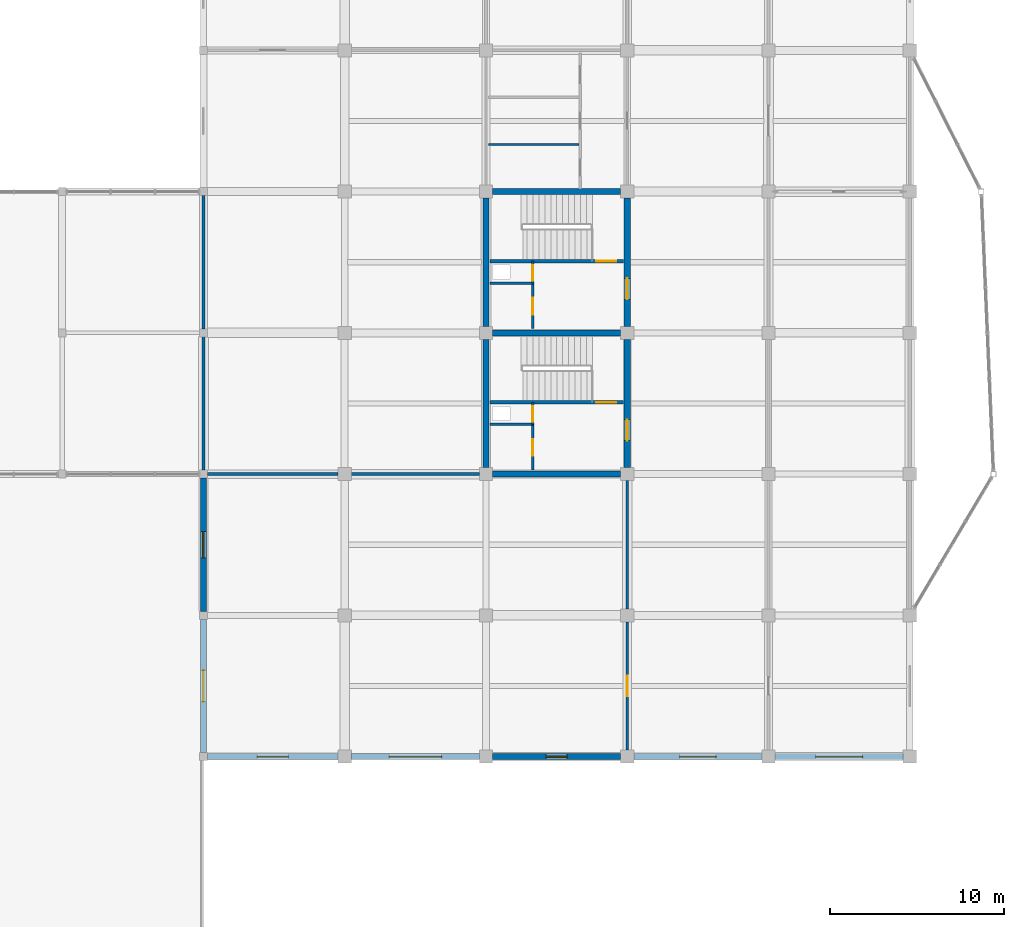
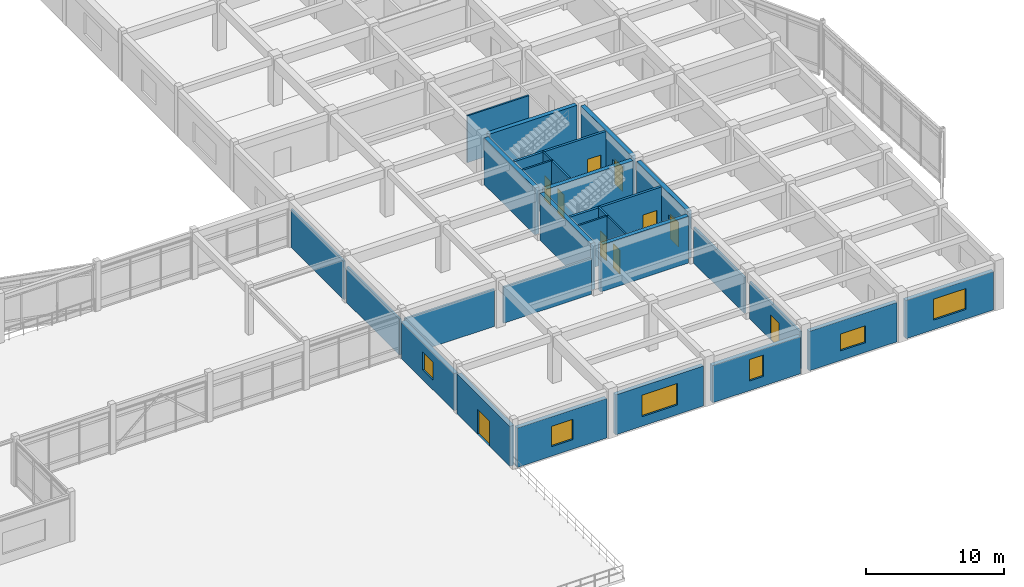
# One storey, part 69 of 89: 29 walls, 10 doors, 6 windows, 16 openings.
"""IFC4 building model written with IfcOpenShell, lengths in metres."""

from ifc_helpers import new_model, si_unit, direction, frame, frame_2d, origin, place, context, subcontext, project, spatial, rectangle, extrude, material, layer, layer_set, type_object, element, fill, save


model = new_model("IFC4")

# Units and contexts
model_context = context("Model", 3, precision=1e-05, world=origin(), true_north=direction((0.0, 1.0)))
body_context = subcontext(model_context, "Body", "Model", "MODEL_VIEW")
ifc_project = project(units=[si_unit("LENGTHUNIT", "METRE"), si_unit("AREAUNIT", "SQUARE_METRE"), si_unit("VOLUMEUNIT", "CUBIC_METRE"), si_unit("PLANEANGLEUNIT", "RADIAN"), si_unit("MASSUNIT", "GRAM", prefix="KILO")], contexts=[model_context])

# Site, building, storey
site_placement = place(None, origin())
site = spatial("IfcSite", under=ifc_project, at=site_placement, CompositionType="ELEMENT")
building_placement = place(site_placement, origin())
building = spatial("IfcBuilding", under=site, at=building_placement, Name="Vaudrelin Polytechnic", CompositionType="ELEMENT")
storey_placement = place(building_placement, frame((0.0, 0.0, 9.68994140625)))
storey = spatial("IfcBuildingStorey", under=building, at=storey_placement, Name="L02", CompositionType="ELEMENT", Elevation=9.68994140625)

# Wall, opening, window
ifc_material_1 = material(Name="Precast concrete 35 MPa with terracotta baguette screen", Category="masonry")
ifc_layer_1 = layer(ifc_material_1, 0.35009765625)
ifc_layer_set_1 = layer_set([ifc_layer_1], Name="Precast concrete 35 MPa with terracotta baguette screen")
wall_type_1 = type_object("IfcWallType", Name="WAL-EW-TERR350", PredefinedType="STANDARD", material=ifc_layer_set_1)
wall_1_placement = place(storey_placement, frame((129.822998046875, 16.199951171875, 0.0), z_axis=(0.0, 0.0, 1.0), x_axis=(1.0, 0.0, 0.0)))
wall_1 = element("IfcWall", 1, at=wall_1_placement, inside=storey, type_object=wall_type_1, Name="Exterior wall L02 S_V4_00", PredefinedType="STANDARD", context=body_context, shape_type="SweptSolid", body=[
    extrude(rectangle(XDim=7.50390625, YDim=0.35009765625, at=frame_2d((3.751953125, 0.0))), origin(), (0.0, 0.0, 1.0), 3.491943359375),
])
opening_1_placement = place(wall_1_placement, frame((2.85205078125, 0.0, 0.85009765625)))
opening_1 = element("IfcOpeningElement", 2, at=opening_1_placement, cuts=wall_1, Name="Opening W-L02-S-V4-01", PredefinedType="OPENING", context=body_context, shape_type="SweptSolid", body=[
    extrude(rectangle(XDim=1.800048828125, YDim=1.800048828125, at=frame_2d((0.89990234375, 0.89990234375))), frame((0.0, 0.18505859375, 0.0), z_axis=(0.0, -1.0, 0.0), x_axis=(1.0, 0.0, 0.0)), (0.0, 0.0, 1.0), 0.3701171875),
])
ifc_material_2 = material(Name="Thermally broken aluminium frame with triple low-e glazing", Category="aluminium")
window_type_1 = type_object("IfcWindowType", Name="WIN-WN-02", PartitioningType="SINGLE_PANEL", PredefinedType="WINDOW", material=ifc_material_2)
window_1_placement = place(opening_1_placement, origin())
window_1 = element("IfcWindow", 3, at=window_1_placement, inside=storey, type_object=window_type_1, Name="Facade window L02-S_V4_00", OverallHeight=1.800048828125, OverallWidth=1.800048828125, PartitioningType="SINGLE_PANEL", PredefinedType="WINDOW", context=body_context, shape_type="SweptSolid", body=[
    extrude(rectangle(XDim=1.800048828125, YDim=1.800048828125, at=frame_2d((0.89990234375, 0.89990234375))), frame((0.0, 0.030029296875, 0.0), z_axis=(0.0, -1.0, 0.0), x_axis=(1.0, 0.0, 0.0)), (0.0, 0.0, 1.0), 0.06005859375),
])
fill(opening_1, window_1)

wall_2_placement = place(storey_placement, frame((138.072998046875, 16.199951171875, 0.0), z_axis=(0.0, 0.0, 1.0), x_axis=(1.0, 0.0, 0.0)))
wall_2 = element("IfcWall", 4, at=wall_2_placement, inside=storey, type_object=wall_type_1, Name="Exterior wall L02 S_V4_01", PredefinedType="STANDARD", context=body_context, shape_type="SweptSolid", body=[
    extrude(rectangle(XDim=7.35400390625, YDim=0.35009765625, at=frame_2d((3.677001953125, 0.0))), origin(), (0.0, 0.0, 1.0), 3.5419921875),
])
opening_2_placement = place(wall_2_placement, frame((2.177001953125, 0.0, 0.85009765625)))
opening_2 = element("IfcOpeningElement", 5, at=opening_2_placement, cuts=wall_2, Name="Opening W-L02-S-V4-02", PredefinedType="OPENING", context=body_context, shape_type="SweptSolid", body=[
    extrude(rectangle(XDim=3.0, YDim=1.89990234375, at=frame_2d((1.5, 0.949951171875))), frame((0.0, 0.18505859375, 0.0), z_axis=(0.0, -1.0, 0.0), x_axis=(1.0, 0.0, 0.0)), (0.0, 0.0, 1.0), 0.3701171875),
])
window_type_2 = type_object("IfcWindowType", Name="WIN-WN-03", PartitioningType="SINGLE_PANEL", PredefinedType="WINDOW", material=ifc_material_2)
window_2_placement = place(opening_2_placement, origin())
window_2 = element("IfcWindow", 6, at=window_2_placement, inside=storey, type_object=window_type_2, Name="Facade window L02-S_V4_01", OverallHeight=1.89990234375, OverallWidth=3.0, PartitioningType="SINGLE_PANEL", PredefinedType="WINDOW", context=body_context, shape_type="SweptSolid", body=[
    extrude(rectangle(XDim=3.0, YDim=1.89990234375, at=frame_2d((1.5, 0.949951171875))), frame((0.0, 0.030029296875, 0.0), z_axis=(0.0, -1.0, 0.0), x_axis=(1.0, 0.0, 0.0)), (0.0, 0.0, 1.0), 0.06005859375),
])
fill(opening_2, window_2)

wall_3_placement = place(storey_placement, frame((146.173095703125, 16.199951171875, 0.0), z_axis=(0.0, 0.0, 1.0), x_axis=(1.0, 0.0, 0.0)))
wall_3 = element("IfcWall", 7, at=wall_3_placement, inside=storey, type_object=wall_type_1, Name="Exterior wall L02 S_V4_02", PredefinedType="STANDARD", context=body_context, shape_type="SweptSolid", body=[
    extrude(rectangle(XDim=7.35400390625, YDim=0.35009765625, at=frame_2d((3.677001953125, 0.0))), origin(), (0.0, 0.0, 1.0), 3.2919921875),
])
opening_3_placement = place(wall_3_placement, frame((3.076904296875, 0.0, 0.85009765625)))
opening_3 = element("IfcOpeningElement", 8, at=opening_3_placement, cuts=wall_3, Name="Opening W-L02-S-V4-03", PredefinedType="OPENING", context=body_context, shape_type="SweptSolid", body=[
    extrude(rectangle(XDim=1.199951171875, YDim=1.89990234375, at=frame_2d((0.60009765625, 0.949951171875))), frame((0.0, 0.18505859375, 0.0), z_axis=(0.0, -1.0, 0.0), x_axis=(1.0, 0.0, 0.0)), (0.0, 0.0, 1.0), 0.3701171875),
])
window_type_3 = type_object("IfcWindowType", Name="WIN-WN-04", PartitioningType="SINGLE_PANEL", PredefinedType="WINDOW", material=ifc_material_2)
window_3_placement = place(opening_3_placement, origin())
window_3 = element("IfcWindow", 9, at=window_3_placement, inside=storey, type_object=window_type_3, Name="Facade window L02-S_V4_02", OverallHeight=1.89990234375, OverallWidth=1.199951171875, PartitioningType="SINGLE_PANEL", PredefinedType="WINDOW", context=body_context, shape_type="SweptSolid", body=[
    extrude(rectangle(XDim=1.199951171875, YDim=1.89990234375, at=frame_2d((0.60009765625, 0.949951171875))), frame((0.0, 0.030029296875, 0.0), z_axis=(0.0, -1.0, 0.0), x_axis=(1.0, 0.0, 0.0)), (0.0, 0.0, 1.0), 0.06005859375),
])
fill(opening_3, window_3)

wall_4_placement = place(storey_placement, frame((154.27294921875, 16.199951171875, 0.0), z_axis=(0.0, 0.0, 1.0), x_axis=(1.0, 0.0, 0.0)))
wall_4 = element("IfcWall", 10, at=wall_4_placement, inside=storey, type_object=wall_type_1, Name="Exterior wall L02 S_V4_03", PredefinedType="STANDARD", context=body_context, shape_type="SweptSolid", body=[
    extrude(rectangle(XDim=7.35400390625, YDim=0.35009765625, at=frame_2d((3.677001953125, 0.0))), origin(), (0.0, 0.0, 1.0), 3.491943359375),
])
opening_4_placement = place(wall_4_placement, frame((2.626953125, 0.0, 0.85009765625)))
opening_4 = element("IfcOpeningElement", 11, at=opening_4_placement, cuts=wall_4, Name="Opening W-L02-S-V4-04", PredefinedType="OPENING", context=body_context, shape_type="SweptSolid", body=[
    extrude(rectangle(XDim=2.10009765625, YDim=1.5, at=frame_2d((1.050048828125, 0.75))), frame((0.0, 0.18505859375, 0.0), z_axis=(0.0, -1.0, 0.0), x_axis=(1.0, 0.0, 0.0)), (0.0, 0.0, 1.0), 0.3701171875),
])
window_type_4 = type_object("IfcWindowType", Name="WIN-WN-05", PartitioningType="SINGLE_PANEL", PredefinedType="WINDOW", material=ifc_material_2)
window_4_placement = place(opening_4_placement, origin())
window_4 = element("IfcWindow", 12, at=window_4_placement, inside=storey, type_object=window_type_4, Name="Facade window L02-S_V4_03", OverallHeight=1.5, OverallWidth=2.10009765625, PartitioningType="SINGLE_PANEL", PredefinedType="WINDOW", context=body_context, shape_type="SweptSolid", body=[
    extrude(rectangle(XDim=2.10009765625, YDim=1.5, at=frame_2d((1.050048828125, 0.75))), frame((0.0, 0.030029296875, 0.0), z_axis=(0.0, -1.0, 0.0), x_axis=(1.0, 0.0, 0.0)), (0.0, 0.0, 1.0), 0.06005859375),
])
fill(opening_4, window_4)

wall_5_placement = place(storey_placement, frame((162.373046875, 16.199951171875, 0.0), z_axis=(0.0, 0.0, 1.0), x_axis=(1.0, 0.0, 0.0)))
wall_5 = element("IfcWall", 13, at=wall_5_placement, inside=storey, type_object=wall_type_1, Name="Exterior wall L02 S_V4_04", PredefinedType="STANDARD", context=body_context, shape_type="SweptSolid", body=[
    extrude(rectangle(XDim=7.35400390625, YDim=0.35009765625, at=frame_2d((3.677001953125, 0.0))), origin(), (0.0, 0.0, 1.0), 3.39208984375),
])
opening_5_placement = place(wall_5_placement, frame((2.326904296875, 0.0, 0.85009765625)))
opening_5 = element("IfcOpeningElement", 14, at=opening_5_placement, cuts=wall_5, Name="Opening W-L02-S-V4-05", PredefinedType="OPENING", context=body_context, shape_type="SweptSolid", body=[
    extrude(rectangle(XDim=2.699951171875, YDim=1.85009765625, at=frame_2d((1.35009765625, 0.925048828125))), frame((0.0, 0.18505859375, 0.0), z_axis=(0.0, -1.0, 0.0), x_axis=(1.0, 0.0, 0.0)), (0.0, 0.0, 1.0), 0.3701171875),
])
window_type_5 = type_object("IfcWindowType", Name="WIN-WN-06", PartitioningType="SINGLE_PANEL", PredefinedType="WINDOW", material=ifc_material_2)
window_5_placement = place(opening_5_placement, origin())
window_5 = element("IfcWindow", 15, at=window_5_placement, inside=storey, type_object=window_type_5, Name="Facade window L02-S_V4_04", OverallHeight=1.85009765625, OverallWidth=2.699951171875, PartitioningType="SINGLE_PANEL", PredefinedType="WINDOW", context=body_context, shape_type="SweptSolid", body=[
    extrude(rectangle(XDim=2.699951171875, YDim=1.85009765625, at=frame_2d((1.35009765625, 0.925048828125))), frame((0.0, 0.030029296875, 0.0), z_axis=(0.0, -1.0, 0.0), x_axis=(1.0, 0.0, 0.0)), (0.0, 0.0, 1.0), 0.06005859375),
])
fill(opening_5, window_5)

# Wall, opening, door
wall_6_placement = place(storey_placement, frame((129.60009765625, 16.423095703125, 0.0), z_axis=(0.0, 0.0, 1.0), x_axis=(0.0, 1.0, 0.0)))
wall_6 = element("IfcWall", 16, at=wall_6_placement, inside=storey, type_object=wall_type_1, Name="Exterior wall L02 W_V4G_00", PredefinedType="STANDARD", context=body_context, shape_type="SweptSolid", body=[
    extrude(rectangle(XDim=7.65380859375, YDim=0.35009765625, at=frame_2d((3.826904296875, 0.0))), origin(), (0.0, 0.0, 1.0), 3.5419921875),
])
opening_6_placement = place(wall_6_placement, frame((2.927001953125, 0.0, 0.0)))
opening_6 = element("IfcOpeningElement", 17, at=opening_6_placement, cuts=wall_6, Name="Opening TD-02-02", PredefinedType="OPENING", context=body_context, shape_type="SweptSolid", body=[
    extrude(rectangle(XDim=1.800048828125, YDim=2.199951171875, at=frame_2d((0.89990234375, 1.10009765625))), frame((0.0, 0.18505859375, 0.0), z_axis=(0.0, -1.0, 0.0), x_axis=(1.0, 0.0, 0.0)), (0.0, 0.0, 1.0), 0.3701171875),
])
ifc_material_3 = material(Name="Thermally broken anodised aluminium AA 6063-T6", Category="aluminium")
door_type_1 = type_object("IfcDoorType", Name="DOR-ED-03", OperationType="DOUBLE_SWING_LEFT", PredefinedType="DOOR", material=ifc_material_3)
door_1_placement = place(opening_6_placement, origin())
door_1 = element("IfcDoor", 18, at=door_1_placement, inside=storey, type_object=door_type_1, Name="Exterior exit door TD-02-02", OperationType="DOUBLE_SWING_RIGHT", OverallHeight=2.199951171875, OverallWidth=1.800048828125, PredefinedType="DOOR", context=body_context, shape_type="SweptSolid", body=[
    extrude(rectangle(XDim=1.800048828125, YDim=2.199951171875, at=frame_2d((0.89990234375, 1.10009765625))), frame((0.0, 0.02490234375, 0.0), z_axis=(0.0, -1.0, 0.0), x_axis=(1.0, 0.0, 0.0)), (0.0, 0.0, 1.0), 0.050048828125),
])
fill(opening_6, door_1)

# Wall, opening, window
wall_7_placement = place(storey_placement, frame((129.60009765625, 24.52294921875, 0.0), z_axis=(0.0, 0.0, 1.0), x_axis=(0.0, 1.0, 0.0)))
wall_7 = element("IfcWall", 19, at=wall_7_placement, inside=storey, type_object=wall_type_1, Name="Exterior wall L02 W_V4G_01", PredefinedType="STANDARD", context=body_context, shape_type="SweptSolid", body=[
    extrude(rectangle(XDim=7.654052734375, YDim=0.35009765625, at=frame_2d((3.8271484375, 0.0))), origin(), (0.0, 0.0, 1.0), 3.2919921875),
])
opening_7_placement = place(wall_7_placement, frame((3.076904296875, 0.0, 0.85009765625)))
opening_7 = element("IfcOpeningElement", 20, at=opening_7_placement, cuts=wall_7, Name="Opening W-L02-W-V4G-02", PredefinedType="OPENING", context=body_context, shape_type="SweptSolid", body=[
    extrude(rectangle(XDim=1.5, YDim=1.60009765625, at=frame_2d((0.75, 0.800048828125))), frame((0.0, 0.18505859375, 0.0), z_axis=(0.0, -1.0, 0.0), x_axis=(1.0, 0.0, 0.0)), (0.0, 0.0, 1.0), 0.3701171875),
])
window_type_6 = type_object("IfcWindowType", Name="WIN-WN-07", PartitioningType="SINGLE_PANEL", PredefinedType="WINDOW", material=ifc_material_2)
window_6_placement = place(opening_7_placement, origin())
window_6 = element("IfcWindow", 21, at=window_6_placement, inside=storey, type_object=window_type_6, Name="Facade window L02-W_V4G_01", OverallHeight=1.60009765625, OverallWidth=1.5, PartitioningType="SINGLE_PANEL", PredefinedType="WINDOW", context=body_context, shape_type="SweptSolid", body=[
    extrude(rectangle(XDim=1.5, YDim=1.60009765625, at=frame_2d((0.75, 0.800048828125))), frame((0.0, 0.030029296875, 0.0), z_axis=(0.0, -1.0, 0.0), x_axis=(1.0, 0.0, 0.0)), (0.0, 0.0, 1.0), 0.06005859375),
])
fill(opening_7, window_6)

# Wall, opening, door
ifc_material_4 = material(Name="Fire-rated steel-stud gypsum compartment wall", Category="steel")
ifc_layer_2 = layer(ifc_material_4, 0.14990234375)
ifc_layer_set_2 = layer_set([ifc_layer_2], Name="Fire-rated steel-stud gypsum compartment wall")
wall_type_2 = type_object("IfcWallType", Name="WAL-PW-FIRE60", PredefinedType="PARTITIONING", material=ifc_layer_set_2)
wall_8_placement = place(storey_placement, frame((148.47998046875, 35.25, 0.0), z_axis=(0.0, 0.0, 1.0), x_axis=(0.0, 1.0, 0.0)))
wall_8 = element("IfcWall", 22, at=wall_8_placement, inside=storey, type_object=wall_type_2, Name="Core C8 riser enclosure wall L02", PredefinedType="PARTITIONING", context=body_context, shape_type="SweptSolid", body=[
    extrude(rectangle(XDim=1.260009765625, YDim=0.14990234375, at=frame_2d((0.6298828125, 0.0))), origin(), (0.0, 0.0, 1.0), 4.14208984375),
])
opening_8_placement = place(wall_8_placement, frame((0.139892578125, 0.0, 0.0)))
opening_8 = element("IfcOpeningElement", 23, at=opening_8_placement, cuts=wall_8, Name="Opening D-L02-152", PredefinedType="OPENING", context=body_context, shape_type="SweptSolid", body=[
    extrude(rectangle(XDim=0.89990234375, YDim=2.14990234375, at=frame_2d((0.449951171875, 1.074951171875))), frame((0.0, 0.0849609375, 0.0), z_axis=(0.0, -1.0, 0.0), x_axis=(1.0, 0.0, 0.0)), (0.0, 0.0, 1.0), 0.169921875),
])
ifc_material_5 = material(Name="Pressed galvanised steel acoustic leaf", Category="steel")
door_type_2 = type_object("IfcDoorType", Name="DOR-ID-RSR1", OperationType="NOTDEFINED", PredefinedType="DOOR", material=ifc_material_5)
door_2_placement = place(opening_8_placement, origin())
door_2 = element("IfcDoor", 24, at=door_2_placement, inside=storey, type_object=door_type_2, Name="Core C8 riser access door L02", OperationType="SINGLE_SWING_RIGHT", OverallHeight=2.14990234375, OverallWidth=0.89990234375, PredefinedType="DOOR", context=body_context, shape_type="SweptSolid", body=[
    extrude(rectangle(XDim=0.89990234375, YDim=2.14990234375, at=frame_2d((0.449951171875, 1.074951171875))), frame((0.0, 0.02490234375, 0.0), z_axis=(0.0, -1.0, 0.0), x_axis=(1.0, 0.0, 0.0)), (0.0, 0.0, 1.0), 0.050048828125),
])
fill(opening_8, door_2)

# Wall
wall_9_placement = place(storey_placement, frame((146.02001953125, 35.25, 0.0), z_axis=(0.0, 0.0, 1.0), x_axis=(1.0, 0.0, 0.0)))
element("IfcWall", 25, at=wall_9_placement, inside=storey, type_object=wall_type_2, Name="Core C8 riser south fire wall L02", PredefinedType="PARTITIONING", context=body_context, shape_type="SweptSolid", body=[
    extrude(rectangle(XDim=2.530029296875, YDim=0.14990234375, at=frame_2d((1.26513671875, 0.0))), origin(), (0.0, 0.0, 1.0), 4.14208984375),
])

# Wall, opening, door
wall_10_placement = place(storey_placement, frame((148.47998046875, 32.64990234375, 0.0), z_axis=(0.0, 0.0, 1.0), x_axis=(0.0, 1.0, 0.0)))
wall_10 = element("IfcWall", 26, at=wall_10_placement, inside=storey, type_object=wall_type_2, Name="Core C8 custodial enclosure wall L02", PredefinedType="PARTITIONING", context=body_context, shape_type="SweptSolid", body=[
    extrude(rectangle(XDim=2.60009765625, YDim=0.14990234375, at=frame_2d((1.300048828125, 0.0))), origin(), (0.0, 0.0, 1.0), 4.14208984375),
])
opening_9_placement = place(wall_10_placement, frame((0.800048828125, 0.0, 0.0)))
opening_9 = element("IfcOpeningElement", 27, at=opening_9_placement, cuts=wall_10, Name="Opening D-L02-153", PredefinedType="OPENING", context=body_context, shape_type="SweptSolid", body=[
    extrude(rectangle(XDim=0.949951171875, YDim=2.14990234375, at=frame_2d((0.47509765625, 1.074951171875))), frame((0.0, 0.0849609375, 0.0), z_axis=(0.0, -1.0, 0.0), x_axis=(1.0, 0.0, 0.0)), (0.0, 0.0, 1.0), 0.169921875),
])
door_type_3 = type_object("IfcDoorType", Name="DOR-ID-STR1", OperationType="NOTDEFINED", PredefinedType="DOOR", material=ifc_material_5)
door_3_placement = place(opening_9_placement, origin())
door_3 = element("IfcDoor", 28, at=door_3_placement, inside=storey, type_object=door_type_3, Name="Core C8 custodial door L02", OperationType="SINGLE_SWING_RIGHT", OverallHeight=2.14990234375, OverallWidth=0.949951171875, PredefinedType="DOOR", context=body_context, shape_type="SweptSolid", body=[
    extrude(rectangle(XDim=0.949951171875, YDim=2.14990234375, at=frame_2d((0.47509765625, 1.074951171875))), frame((0.0, 0.02490234375, 0.0), z_axis=(0.0, -1.0, 0.0), x_axis=(1.0, 0.0, 0.0)), (0.0, 0.0, 1.0), 0.050048828125),
])
fill(opening_9, door_3)

wall_11_placement = place(storey_placement, frame((148.47998046875, 43.35009765625, 0.0), z_axis=(0.0, 0.0, 1.0), x_axis=(0.0, 1.0, 0.0)))
wall_11 = element("IfcWall", 29, at=wall_11_placement, inside=storey, type_object=wall_type_2, Name="Core C12 riser enclosure wall L02", PredefinedType="PARTITIONING", context=body_context, shape_type="SweptSolid", body=[
    extrude(rectangle(XDim=1.260009765625, YDim=0.14990234375, at=frame_2d((0.6298828125, 0.0))), origin(), (0.0, 0.0, 1.0), 4.14208984375),
])
opening_10_placement = place(wall_11_placement, frame((0.139892578125, 0.0, 0.0)))
opening_10 = element("IfcOpeningElement", 30, at=opening_10_placement, cuts=wall_11, Name="Opening D-L02-275", PredefinedType="OPENING", context=body_context, shape_type="SweptSolid", body=[
    extrude(rectangle(XDim=0.89990234375, YDim=2.14990234375, at=frame_2d((0.449951171875, 1.074951171875))), frame((0.0, 0.0849609375, 0.0), z_axis=(0.0, -1.0, 0.0), x_axis=(1.0, 0.0, 0.0)), (0.0, 0.0, 1.0), 0.169921875),
])
door_4_placement = place(opening_10_placement, origin())
door_4 = element("IfcDoor", 31, at=door_4_placement, inside=storey, type_object=door_type_2, Name="Core C12 riser access door L02", OperationType="SINGLE_SWING_RIGHT", OverallHeight=2.14990234375, OverallWidth=0.89990234375, PredefinedType="DOOR", context=body_context, shape_type="SweptSolid", body=[
    extrude(rectangle(XDim=0.89990234375, YDim=2.14990234375, at=frame_2d((0.449951171875, 1.074951171875))), frame((0.0, 0.02490234375, 0.0), z_axis=(0.0, -1.0, 0.0), x_axis=(1.0, 0.0, 0.0)), (0.0, 0.0, 1.0), 0.050048828125),
])
fill(opening_10, door_4)

# Wall
wall_12_placement = place(storey_placement, frame((146.02001953125, 43.35009765625, 0.0), z_axis=(0.0, 0.0, 1.0), x_axis=(1.0, 0.0, 0.0)))
element("IfcWall", 32, at=wall_12_placement, inside=storey, type_object=wall_type_2, Name="Core C12 riser south fire wall L02", PredefinedType="PARTITIONING", context=body_context, shape_type="SweptSolid", body=[
    extrude(rectangle(XDim=2.530029296875, YDim=0.14990234375, at=frame_2d((1.26513671875, 0.0))), origin(), (0.0, 0.0, 1.0), 4.14208984375),
])

# Wall, opening, door
wall_13_placement = place(storey_placement, frame((148.47998046875, 40.75, 0.0), z_axis=(0.0, 0.0, 1.0), x_axis=(0.0, 1.0, 0.0)))
wall_13 = element("IfcWall", 33, at=wall_13_placement, inside=storey, type_object=wall_type_2, Name="Core C12 custodial enclosure wall L02", PredefinedType="PARTITIONING", context=body_context, shape_type="SweptSolid", body=[
    extrude(rectangle(XDim=2.60009765625, YDim=0.14990234375, at=frame_2d((1.300048828125, 0.0))), origin(), (0.0, 0.0, 1.0), 4.14208984375),
])
opening_11_placement = place(wall_13_placement, frame((0.800048828125, 0.0, 0.0)))
opening_11 = element("IfcOpeningElement", 34, at=opening_11_placement, cuts=wall_13, Name="Opening D-L02-276", PredefinedType="OPENING", context=body_context, shape_type="SweptSolid", body=[
    extrude(rectangle(XDim=0.949951171875, YDim=2.14990234375, at=frame_2d((0.47509765625, 1.074951171875))), frame((0.0, 0.0849609375, 0.0), z_axis=(0.0, -1.0, 0.0), x_axis=(1.0, 0.0, 0.0)), (0.0, 0.0, 1.0), 0.169921875),
])
door_5_placement = place(opening_11_placement, origin())
door_5 = element("IfcDoor", 35, at=door_5_placement, inside=storey, type_object=door_type_3, Name="Core C12 custodial door L02", OperationType="SINGLE_SWING_RIGHT", OverallHeight=2.14990234375, OverallWidth=0.949951171875, PredefinedType="DOOR", context=body_context, shape_type="SweptSolid", body=[
    extrude(rectangle(XDim=0.949951171875, YDim=2.14990234375, at=frame_2d((0.47509765625, 1.074951171875))), frame((0.0, 0.02490234375, 0.0), z_axis=(0.0, -1.0, 0.0), x_axis=(1.0, 0.0, 0.0)), (0.0, 0.0, 1.0), 0.050048828125),
])
fill(opening_11, door_5)

ifc_material_6 = material(Name="Moisture- and chemical-resistant laboratory partition", Category="gypsum")
ifc_layer_3 = layer(ifc_material_6, 0.159912109375)
ifc_layer_set_3 = layer_set([ifc_layer_3], Name="Moisture- and chemical-resistant laboratory partition")
wall_type_3 = type_object("IfcWallType", Name="WAL-PW-LAB160", PredefinedType="PARTITIONING", material=ifc_layer_set_3)
wall_14_placement = place(storey_placement, frame((153.89990234375, 16.572998046875, 0.0), z_axis=(0.0, 0.0, 1.0), x_axis=(0.0, 1.0, 0.0)))
wall_14 = element("IfcWall", 36, at=wall_14_placement, inside=storey, type_object=wall_type_3, Name="Partition L02-014 E", PredefinedType="PARTITIONING", context=body_context, shape_type="SweptSolid", body=[
    extrude(rectangle(XDim=7.35400390625, YDim=0.159912109375, at=frame_2d((3.677001953125, 0.0))), origin(), (0.0, 0.0, 1.0), 3.2919921875),
])
opening_12_placement = place(wall_14_placement, frame((3.076904296875, 0.0, 0.0)))
opening_12 = element("IfcOpeningElement", 37, at=opening_12_placement, cuts=wall_14, Name="Opening D-L02-480", PredefinedType="OPENING", context=body_context, shape_type="SweptSolid", body=[
    extrude(rectangle(XDim=1.199951171875, YDim=2.199951171875, at=frame_2d((0.60009765625, 1.10009765625))), frame((0.0, 0.08984375, 0.0), z_axis=(0.0, -1.0, 0.0), x_axis=(1.0, 0.0, 0.0)), (0.0, 0.0, 1.0), 0.179931640625),
])
door_type_4 = type_object("IfcDoorType", Name="DOR-ID-LAB2", OperationType="NOTDEFINED", PredefinedType="DOOR", material=ifc_material_5)
door_6_placement = place(opening_12_placement, origin())
door_6 = element("IfcDoor", 38, at=door_6_placement, inside=storey, type_object=door_type_4, Name="Polymer and Composites Laboratory door L02-014", OperationType="SINGLE_SWING_LEFT", OverallHeight=2.199951171875, OverallWidth=1.199951171875, PredefinedType="DOOR", context=body_context, shape_type="SweptSolid", body=[
    extrude(rectangle(XDim=1.199951171875, YDim=2.199951171875, at=frame_2d((0.60009765625, 1.10009765625))), frame((0.0, 0.02490234375, 0.0), z_axis=(0.0, -1.0, 0.0), x_axis=(1.0, 0.0, 0.0)), (0.0, 0.0, 1.0), 0.050048828125),
])
fill(opening_12, door_6)

# Walls
wall_15_placement = place(storey_placement, frame((153.89990234375, 24.673095703125, 0.0), z_axis=(0.0, 0.0, 1.0), x_axis=(0.0, 1.0, 0.0)))
element("IfcWall", 39, at=wall_15_placement, inside=storey, type_object=wall_type_3, Name="Partition L02-014 E", PredefinedType="PARTITIONING", context=body_context, shape_type="SweptSolid", body=[
    extrude(rectangle(XDim=7.35400390625, YDim=0.159912109375, at=frame_2d((3.677001953125, 0.0))), origin(), (0.0, 0.0, 1.0), 3.192138671875),
])
wall_16_placement = place(storey_placement, frame((129.822998046875, 32.39990234375, 0.0), z_axis=(0.0, 0.0, 1.0), x_axis=(1.0, 0.0, 0.0)))
element("IfcWall", 40, at=wall_16_placement, inside=storey, type_object=wall_type_3, Name="Partition L02-014 N", PredefinedType="PARTITIONING", context=body_context, shape_type="SweptSolid", body=[
    extrude(rectangle(XDim=7.50390625, YDim=0.159912109375, at=frame_2d((3.751953125, 0.0))), origin(), (0.0, 0.0, 1.0), 3.2919921875),
])
wall_17_placement = place(storey_placement, frame((138.072998046875, 32.39990234375, 0.0), z_axis=(0.0, 0.0, 1.0), x_axis=(1.0, 0.0, 0.0)))
element("IfcWall", 41, at=wall_17_placement, inside=storey, type_object=wall_type_3, Name="Partition L02-014 N", PredefinedType="PARTITIONING", context=body_context, shape_type="SweptSolid", body=[
    extrude(rectangle(XDim=7.35400390625, YDim=0.159912109375, at=frame_2d((3.677001953125, 0.0))), origin(), (0.0, 0.0, 1.0), 3.192138671875),
])
wall_18_placement = place(storey_placement, frame((129.60009765625, 32.623046875, 0.0), z_axis=(0.0, 0.0, 1.0), x_axis=(0.0, 1.0, 0.0)))
element("IfcWall", 42, at=wall_18_placement, inside=storey, type_object=wall_type_3, Name="Partition L02-015 W", PredefinedType="PARTITIONING", context=body_context, shape_type="SweptSolid", body=[
    extrude(rectangle(XDim=7.654052734375, YDim=0.159912109375, at=frame_2d((3.8271484375, 0.0))), origin(), (0.0, 0.0, 1.0), 3.192138671875),
])
wall_19_placement = place(storey_placement, frame((129.60009765625, 40.722900390625, 0.0), z_axis=(0.0, 0.0, 1.0), x_axis=(0.0, 1.0, 0.0)))
element("IfcWall", 43, at=wall_19_placement, inside=storey, type_object=wall_type_3, Name="Partition L02-015 W", PredefinedType="PARTITIONING", context=body_context, shape_type="SweptSolid", body=[
    extrude(rectangle(XDim=7.654052734375, YDim=0.159912109375, at=frame_2d((3.8271484375, 0.0))), origin(), (0.0, 0.0, 1.0), 3.39208984375),
])
ifc_material_7 = material(Name="Cement-board tiled wet-wall washroom partition", Category="gypsum")
ifc_layer_4 = layer(ifc_material_7, 0.139892578125)
ifc_layer_set_4 = layer_set([ifc_layer_4], Name="Cement-board tiled wet-wall washroom partition")
wall_type_4 = type_object("IfcWallType", Name="WAL-PW-WC140", PredefinedType="PARTITIONING", material=ifc_layer_set_4)
wall_20_placement = place(storey_placement, frame((145.949951171875, 51.300048828125, 0.0), z_axis=(0.0, 0.0, 1.0), x_axis=(1.0, 0.0, 0.0)))
element("IfcWall", 44, at=wall_20_placement, inside=storey, type_object=wall_type_4, Name="Washroom separation wall L02-18-6-1", PredefinedType="PARTITIONING", context=body_context, shape_type="SweptSolid", body=[
    extrude(rectangle(XDim=5.179931640625, YDim=0.139892578125, at=frame_2d((2.58984375, 0.0))), origin(), (0.0, 0.0, 1.0), 4.14208984375),
])

# Wall, opening, door
ifc_material_8 = material(Name="Concrete 40 MPa", Category="concrete")
ifc_layer_5 = layer(ifc_material_8, 0.199951171875)
ifc_layer_set_5 = layer_set([ifc_layer_5], Name="Concrete 40 MPa")
wall_type_5 = type_object("IfcWallType", Name="WAL-SW-CORE200", PredefinedType="SHEAR", material=ifc_layer_set_5)
wall_21_placement = place(storey_placement, frame((146.02001953125, 36.510009765625, 0.0), z_axis=(0.0, 0.0, 1.0), x_axis=(1.0, 0.0, 0.0)))
wall_21 = element("IfcWall", 45, at=wall_21_placement, inside=storey, type_object=wall_type_5, Name="Core C8 stair enclosure wall L02", PredefinedType="SHEAR", context=body_context, shape_type="SweptSolid", body=[
    extrude(rectangle(XDim=7.659912109375, YDim=0.199951171875, at=frame_2d((3.830078125, 0.0))), origin(), (0.0, 0.0, 1.0), 4.14208984375),
])
opening_13_placement = place(wall_21_placement, frame((6.110107421875, 0.0, 0.0)))
opening_13 = element("IfcOpeningElement", 46, at=opening_13_placement, cuts=wall_21, Name="Opening D-L02-151", PredefinedType="OPENING", context=body_context, shape_type="SweptSolid", body=[
    extrude(rectangle(XDim=1.14990234375, YDim=2.199951171875, at=frame_2d((0.574951171875, 1.10009765625))), frame((0.0, 0.10986328125, 0.0), z_axis=(0.0, -1.0, 0.0), x_axis=(1.0, 0.0, 0.0)), (0.0, 0.0, 1.0), 0.219970703125),
])
door_type_5 = type_object("IfcDoorType", Name="DOR-ID-ST1", OperationType="NOTDEFINED", PredefinedType="DOOR", material=ifc_material_5)
door_7_placement = place(opening_13_placement, origin())
door_7 = element("IfcDoor", 47, at=door_7_placement, inside=storey, type_object=door_type_5, Name="Core C8 exit stair door L02", OperationType="SINGLE_SWING_LEFT", OverallHeight=2.199951171875, OverallWidth=1.14990234375, PredefinedType="DOOR", context=body_context, shape_type="SweptSolid", body=[
    extrude(rectangle(XDim=1.14990234375, YDim=2.199951171875, at=frame_2d((0.574951171875, 1.10009765625))), frame((0.0, 0.02490234375, 0.0), z_axis=(0.0, -1.0, 0.0), x_axis=(1.0, 0.0, 0.0)), (0.0, 0.0, 1.0), 0.050048828125),
])
fill(opening_13, door_7)

wall_22_placement = place(storey_placement, frame((146.02001953125, 44.610107421875, 0.0), z_axis=(0.0, 0.0, 1.0), x_axis=(1.0, 0.0, 0.0)))
wall_22 = element("IfcWall", 48, at=wall_22_placement, inside=storey, type_object=wall_type_5, Name="Core C12 stair enclosure wall L02", PredefinedType="SHEAR", context=body_context, shape_type="SweptSolid", body=[
    extrude(rectangle(XDim=7.659912109375, YDim=0.199951171875, at=frame_2d((3.830078125, 0.0))), origin(), (0.0, 0.0, 1.0), 4.14208984375),
])
opening_14_placement = place(wall_22_placement, frame((6.110107421875, 0.0, 0.0)))
opening_14 = element("IfcOpeningElement", 49, at=opening_14_placement, cuts=wall_22, Name="Opening D-L02-274", PredefinedType="OPENING", context=body_context, shape_type="SweptSolid", body=[
    extrude(rectangle(XDim=1.14990234375, YDim=2.199951171875, at=frame_2d((0.574951171875, 1.10009765625))), frame((0.0, 0.10986328125, 0.0), z_axis=(0.0, -1.0, 0.0), x_axis=(1.0, 0.0, 0.0)), (0.0, 0.0, 1.0), 0.219970703125),
])
door_8_placement = place(opening_14_placement, origin())
door_8 = element("IfcDoor", 50, at=door_8_placement, inside=storey, type_object=door_type_5, Name="Core C12 exit stair door L02", OperationType="SINGLE_SWING_LEFT", OverallHeight=2.199951171875, OverallWidth=1.14990234375, PredefinedType="DOOR", context=body_context, shape_type="SweptSolid", body=[
    extrude(rectangle(XDim=1.14990234375, YDim=2.199951171875, at=frame_2d((0.574951171875, 1.10009765625))), frame((0.0, 0.02490234375, 0.0), z_axis=(0.0, -1.0, 0.0), x_axis=(1.0, 0.0, 0.0)), (0.0, 0.0, 1.0), 0.050048828125),
])
fill(opening_14, door_8)

# Walls
ifc_material_9 = material(Name="Concrete 50 MPa", Category="concrete")
ifc_layer_6 = layer(ifc_material_9, 0.35009765625)
ifc_layer_set_6 = layer_set([ifc_layer_6], Name="Concrete 50 MPa")
wall_type_6 = type_object("IfcWallType", Name="WAL-SW-CORE350", PredefinedType="SHEAR", material=ifc_layer_set_6)
for number, where, z_axis, x_axis, name in (
    (51, (146.173095703125, 40.5, 0.0), (0.0, 0.0, 1.0), (1.0, 0.0, 0.0), "Core C8 N shear wall L02"),
    (52, (145.800048828125, 32.77294921875, 0.0), (0.0, 0.0, 1.0), (0.0, 1.0, 0.0), "Core C8 W shear wall L02"),
):
    element("IfcWall", number, at=place(storey_placement, frame(where, z_axis=z_axis, x_axis=x_axis)), inside=storey, type_object=wall_type_6, Name=name, PredefinedType="SHEAR", context=body_context, shape_type="SweptSolid", body=[
        extrude(rectangle(XDim=7.35400390625, YDim=0.35009765625, at=frame_2d((3.677001953125, 0.0))), origin(), (0.0, 0.0, 1.0), 4.14208984375),
    ])

# Wall, opening, door
wall_23_placement = place(storey_placement, frame((153.89990234375, 32.77294921875, 0.0), z_axis=(0.0, 0.0, 1.0), x_axis=(0.0, 1.0, 0.0)))
wall_23 = element("IfcWall", 53, at=wall_23_placement, inside=storey, type_object=wall_type_6, Name="Core C8 E shear wall L02", PredefinedType="SHEAR", context=body_context, shape_type="SweptSolid", body=[
    extrude(rectangle(XDim=7.35400390625, YDim=0.35009765625, at=frame_2d((3.677001953125, 0.0))), origin(), (0.0, 0.0, 1.0), 4.14208984375),
])
opening_15_placement = place(wall_23_placement, frame((1.550048828125, 0.0, 0.0)))
opening_15 = element("IfcOpeningElement", 54, at=opening_15_placement, cuts=wall_23, Name="Opening D-L02-150", PredefinedType="OPENING", context=body_context, shape_type="SweptSolid", body=[
    extrude(rectangle(XDim=1.199951171875, YDim=2.199951171875, at=frame_2d((0.60009765625, 1.10009765625))), frame((0.0, 0.18505859375, 0.0), z_axis=(0.0, -1.0, 0.0), x_axis=(1.0, 0.0, 0.0)), (0.0, 0.0, 1.0), 0.3701171875),
])
door_type_6 = type_object("IfcDoorType", Name="DOR-ID-LB1", OperationType="NOTDEFINED", PredefinedType="DOOR", material=ifc_material_5)
door_9_placement = place(opening_15_placement, origin())
door_9 = element("IfcDoor", 55, at=door_9_placement, inside=storey, type_object=door_type_6, Name="Core C8 lobby fire door L02", OperationType="SINGLE_SWING_RIGHT", OverallHeight=2.199951171875, OverallWidth=1.199951171875, PredefinedType="DOOR", context=body_context, shape_type="SweptSolid", body=[
    extrude(rectangle(XDim=1.199951171875, YDim=2.199951171875, at=frame_2d((0.60009765625, 1.10009765625))), frame((0.0, 0.02490234375, 0.0), z_axis=(0.0, -1.0, 0.0), x_axis=(1.0, 0.0, 0.0)), (0.0, 0.0, 1.0), 0.050048828125),
])
fill(opening_15, door_9)

# Walls
for number, where, z_axis, x_axis, name in (
    (56, (146.173095703125, 32.39990234375, 0.0), (0.0, 0.0, 1.0), (1.0, 0.0, 0.0), "Core C8 S shear wall L02"),
    (57, (146.173095703125, 48.60009765625, 0.0), (0.0, 0.0, 1.0), (1.0, 0.0, 0.0), "Core C12 N shear wall L02"),
    (58, (145.800048828125, 40.873046875, 0.0), (0.0, 0.0, 1.0), (0.0, 1.0, 0.0), "Core C12 W shear wall L02"),
):
    element("IfcWall", number, at=place(storey_placement, frame(where, z_axis=z_axis, x_axis=x_axis)), inside=storey, type_object=wall_type_6, Name=name, PredefinedType="SHEAR", context=body_context, shape_type="SweptSolid", body=[
        extrude(rectangle(XDim=7.35400390625, YDim=0.35009765625, at=frame_2d((3.677001953125, 0.0))), origin(), (0.0, 0.0, 1.0), 4.14208984375),
    ])

# Wall, opening, door
wall_24_placement = place(storey_placement, frame((153.89990234375, 40.873046875, 0.0), z_axis=(0.0, 0.0, 1.0), x_axis=(0.0, 1.0, 0.0)))
wall_24 = element("IfcWall", 59, at=wall_24_placement, inside=storey, type_object=wall_type_6, Name="Core C12 E shear wall L02", PredefinedType="SHEAR", context=body_context, shape_type="SweptSolid", body=[
    extrude(rectangle(XDim=7.35400390625, YDim=0.35009765625, at=frame_2d((3.677001953125, 0.0))), origin(), (0.0, 0.0, 1.0), 4.14208984375),
])
opening_16_placement = place(wall_24_placement, frame((1.550048828125, 0.0, 0.0)))
opening_16 = element("IfcOpeningElement", 60, at=opening_16_placement, cuts=wall_24, Name="Opening D-L02-273", PredefinedType="OPENING", context=body_context, shape_type="SweptSolid", body=[
    extrude(rectangle(XDim=1.199951171875, YDim=2.199951171875, at=frame_2d((0.60009765625, 1.10009765625))), frame((0.0, 0.18505859375, 0.0), z_axis=(0.0, -1.0, 0.0), x_axis=(1.0, 0.0, 0.0)), (0.0, 0.0, 1.0), 0.3701171875),
])
door_10_placement = place(opening_16_placement, origin())
door_10 = element("IfcDoor", 61, at=door_10_placement, inside=storey, type_object=door_type_6, Name="Core C12 lobby fire door L02", OperationType="SINGLE_SWING_LEFT", OverallHeight=2.199951171875, OverallWidth=1.199951171875, PredefinedType="DOOR", context=body_context, shape_type="SweptSolid", body=[
    extrude(rectangle(XDim=1.199951171875, YDim=2.199951171875, at=frame_2d((0.60009765625, 1.10009765625))), frame((0.0, 0.02490234375, 0.0), z_axis=(0.0, -1.0, 0.0), x_axis=(1.0, 0.0, 0.0)), (0.0, 0.0, 1.0), 0.050048828125),
])
fill(opening_16, door_10)

save(model, "model.ifc")
